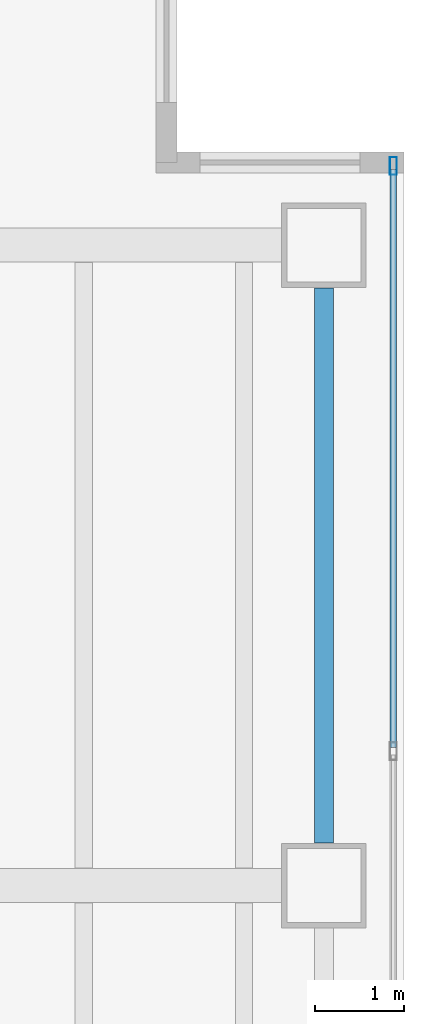
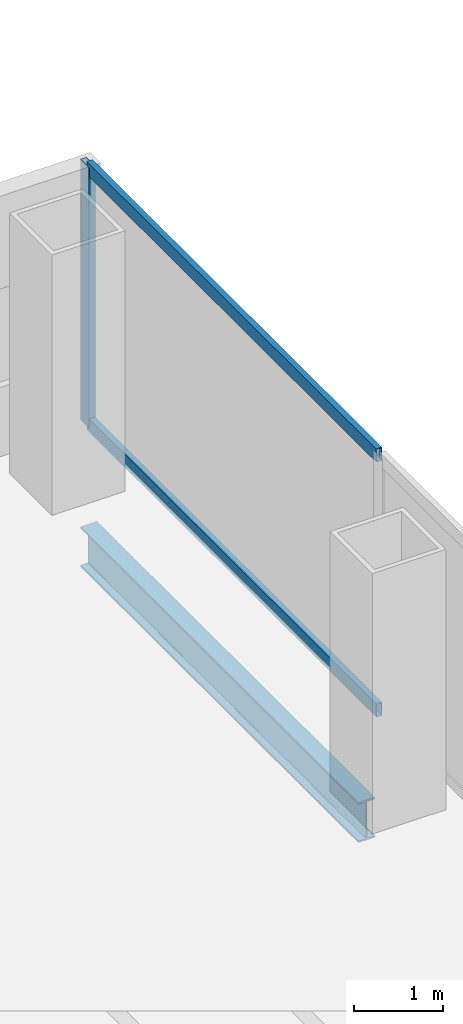
# One storey, part 13 of 23: 3 members, 1 beam, 1 element without a shape of its own.
"""IFC4 building model written with IfcOpenShell, lengths in metres."""

from ifc_helpers import new_model, si_unit, direction, frame, origin, origin_2d, place, context, subcontext, project, spatial, hollow_rectangle, i_section, extrude, material, material_profile, profile_set, type_object, element, aggregate, save


model = new_model("IFC4")

# Units and contexts
model_context = context("Model", 3, precision=1e-05, world=origin(), true_north=direction((0.0, 1.0)))
body_context = subcontext(model_context, "Body", "Model", "MODEL_VIEW")
ifc_project = project(units=[si_unit("LENGTHUNIT", "METRE"), si_unit("AREAUNIT", "SQUARE_METRE"), si_unit("VOLUMEUNIT", "CUBIC_METRE"), si_unit("PLANEANGLEUNIT", "RADIAN"), si_unit("MASSUNIT", "GRAM", prefix="KILO")], contexts=[model_context])

# Site, building, storey
site_placement = place(None, origin())
site = spatial("IfcSite", under=ifc_project, at=site_placement, CompositionType="ELEMENT")
building_placement = place(site_placement, origin())
building = spatial("IfcBuilding", under=site, at=building_placement, Name="Cobrela Telecom Tower", CompositionType="ELEMENT")
storey_placement = place(building_placement, frame((0.0, 0.0, 81.199951171875)))
storey = spatial("IfcBuildingStorey", under=building, at=storey_placement, Name="L20", CompositionType="ELEMENT", Elevation=81.199951171875)

# Beam
ifc_material_1 = material(Name="Steel ASTM A992 Grade 50", Category="steel")
ifc_material_profile_1 = material_profile(ifc_material_1, i_section(OverallWidth=0.212890625, OverallDepth=0.549072265625, WebThickness=0.0146484375, FlangeThickness=0.023681640625, FilletRadius=0.013916015625, at=origin_2d()), Name="W21X93")
ifc_profile_set_1 = profile_set([ifc_material_profile_1], Name="Steel ASTM A992 Grade 50")
beam_type = type_object("IfcBeamType", Name="BM-SPAND-03", PredefinedType="SPANDREL", material=ifc_profile_set_1)
beam_placement = place(storey_placement, frame((49.5, 14.8798828125, -0.554443359375), z_axis=(0.0, 1.0, 0.0), x_axis=(-1.0, 0.0, 0.0)))
element("IfcBeam", 1, at=beam_placement, inside=storey, type_object=beam_type, Name="L20 Perimeter Spandrel Y57", PredefinedType="SPANDREL", context=body_context, shape_type="SweptSolid", body=[
    extrude(i_section(OverallWidth=0.212890625, OverallDepth=0.549072265625, WebThickness=0.0146484375, FlangeThickness=0.023681640625, FilletRadius=0.013916015625, at=origin_2d()), origin(), (0.0, 0.0, 1.0), 6.240234375),
])

# Curtain wall, members
ifc_material_2 = material(Name="Anodized Bronze Aluminium 6063-T6", Category="aluminium")
curtain_wall_type = type_object("IfcCurtainWallType", Name="CW-SYS-DATA", PredefinedType="USERDEFINED", material=ifc_material_2)
curtain_wall_placement = place(storey_placement, origin())
curtain_wall = element("IfcCurtainWall", 2, at=curtain_wall_placement, inside=storey, type_object=curtain_wall_type, Name="L20 Unitised Bronze Curtain Wall 14", ObjectType="UNITISED CURTAIN WALL", PredefinedType="USERDEFINED")
ifc_material_profile_2 = material_profile(ifc_material_2, hollow_rectangle(XDim=0.080078125, YDim=0.199951171875, WallThickness=0.00390625, at=origin_2d()), Name="ALU 80x200x4")
ifc_profile_set_2 = profile_set([ifc_material_profile_2], Name="Anodized Bronze Aluminium 6063-T6")
member_type_1 = type_object("IfcMemberType", Name="CW-SYS-DATA-MUL", PredefinedType="MULLION", material=ifc_profile_set_2)
member_1_placement = place(storey_placement, frame((50.280029296875, 22.489990234375, 0.0), z_axis=(0.0, 0.0, 1.0), x_axis=(1.0, 0.0, 0.0)))
member_1 = element("IfcMember", 3, at=member_1_placement, type_object=member_type_1, Name="CW-DATA mullion 1", PredefinedType="MULLION", context=body_context, shape_type="SweptSolid", body=[
    extrude(hollow_rectangle(XDim=0.080078125, YDim=0.199951171875, WallThickness=0.00390625, at=origin_2d()), origin(), (0.0, 0.0, 1.0), 3.570068359375),
])
ifc_material_profile_3 = material_profile(ifc_material_2, hollow_rectangle(XDim=0.074951171875, YDim=0.179931640625, WallThickness=0.00390625, at=origin_2d()), Name="ALU 75x180x4")
ifc_profile_set_3 = profile_set([ifc_material_profile_3], Name="Anodized Bronze Aluminium 6063-T6")
member_type_2 = type_object("IfcMemberType", Name="CW-SYS-DATA-TRN", PredefinedType="USERDEFINED", material=ifc_profile_set_3)
member_2_placement = place(storey_placement, frame((50.280029296875, 22.449951171875, 0.03759765625), z_axis=(0.0, -1.0, 0.0), x_axis=(1.0, 0.0, 0.0)))
member_2 = element("IfcMember", 4, at=member_2_placement, type_object=member_type_2, Name="CW-DATA transom 1.1", ObjectType="TRANSOM", PredefinedType="USERDEFINED", context=body_context, shape_type="SweptSolid", body=[
    extrude(hollow_rectangle(XDim=0.074951171875, YDim=0.179931640625, WallThickness=0.00390625, at=origin_2d()), origin(), (0.0, 0.0, 1.0), 6.5),
])
member_3_placement = place(storey_placement, frame((50.280029296875, 22.449951171875, 3.532470703125), z_axis=(0.0, -1.0, 0.0), x_axis=(1.0, 0.0, 0.0)))
member_3 = element("IfcMember", 5, at=member_3_placement, type_object=member_type_2, Name="CW-DATA transom 1.2", ObjectType="TRANSOM", PredefinedType="USERDEFINED", context=body_context, shape_type="SweptSolid", body=[
    extrude(hollow_rectangle(XDim=0.074951171875, YDim=0.179931640625, WallThickness=0.00390625, at=origin_2d()), origin(), (0.0, 0.0, 1.0), 6.5),
])
aggregate(curtain_wall, [member_1, member_2, member_3])

save(model, "model.ifc")
